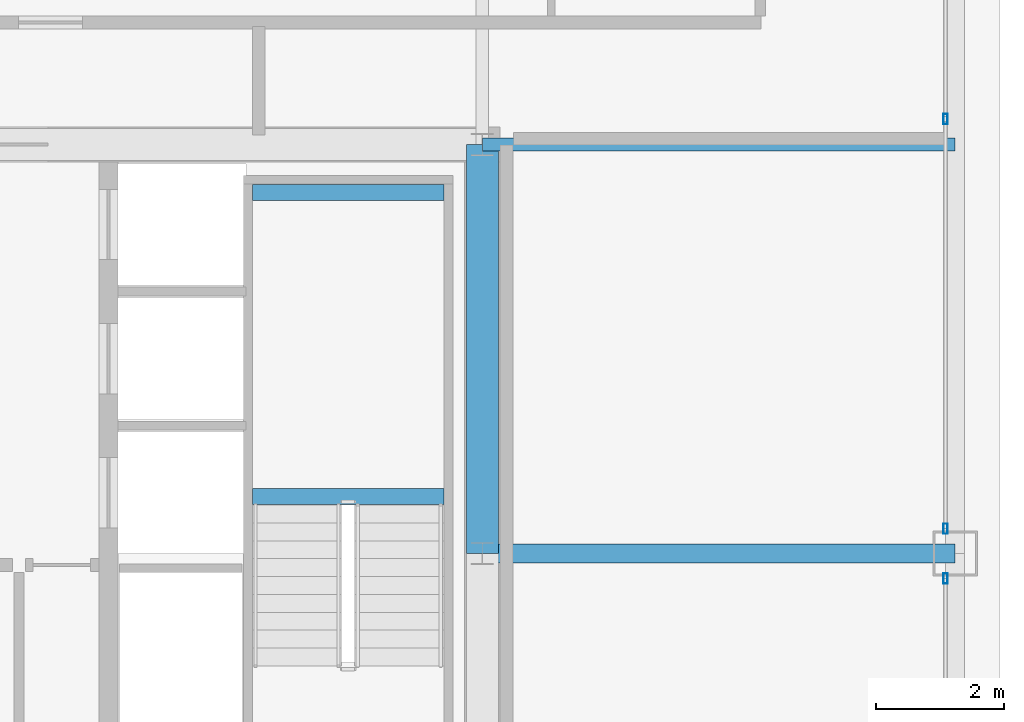
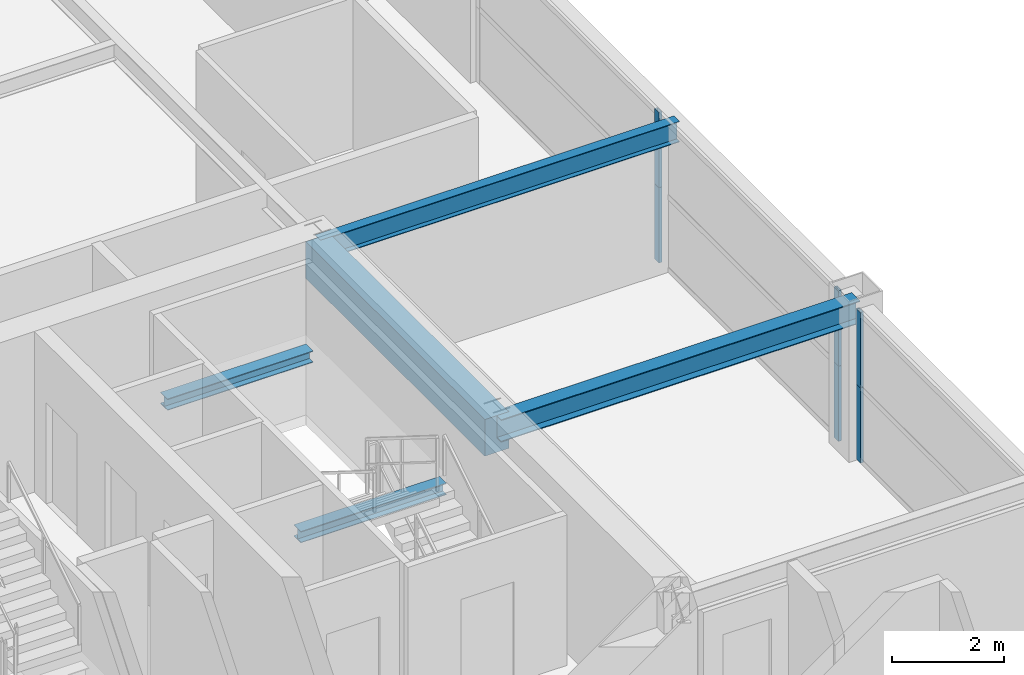
# One storey, part 21 of 37: 6 members, 5 beams, 2 elements without a shape of their own.
"""IFC4 building model written with IfcOpenShell, lengths in metres."""

import ifcopenshell
import ifcopenshell.guid

model = None  # the IFC model being written
_history = None  # IfcOwnerHistory: only IFC2X3 demands one
_inside = {}  # id of a spatial element -> (the spatial element, [elements in it])
_under = {}  # id of a project, library or spatial element -> (it, [spatial elements below it])
_declared = {}  # id of a project -> (the project, [libraries it declares])
_typed = {}  # id of a type object -> (the type object, [elements of that type])
_made_of = {}  # id of a material, layer set ... -> (it, [elements and type objects made of it])


def new_model(schema):
    """Start an empty IFC model of exactly this schema.

    Asked for "IFC4X3", IfcOpenShell would pick the latest addendum, in which some entities
    have other attributes; the version numbers below select the first issue.
    IFC2X3 requires an IfcOwnerHistory on every rooted entity: one is made here for all.
    """
    global model, _history
    if schema == "IFC4X3":
        model = ifcopenshell.file(schema_version=(4, 3, 0, 0))
    else:
        model = ifcopenshell.file(schema=schema)
    _inside.clear()
    _under.clear()
    _declared.clear()
    _typed.clear()
    _made_of.clear()
    _history = None
    if model.schema == "IFC2X3":
        org = make("IfcOrganization", Name="unknown")
        user = make(
            "IfcPersonAndOrganization",
            ThePerson=make("IfcPerson", FamilyName="unknown"),
            TheOrganization=org,
        )
        app = make(
            "IfcApplication",
            ApplicationDeveloper=org,
            Version="unknown",
            ApplicationFullName="unknown",
            ApplicationIdentifier="unknown",
        )
        _history = make(
            "IfcOwnerHistory",
            OwningUser=user,
            OwningApplication=app,
            ChangeAction="ADDED",
            CreationDate=0,
        )
    return model


def make(cls, **values):
    """One entity of the class cls with the attributes given. An attribute that is None is left unset."""
    return model.create_entity(
        cls, **{name: value for name, value in values.items() if value is not None}
    )


def rooted(cls, **values):
    """An entity with a GlobalId (a new one), such as an element, a storey or a relation."""
    return make(cls, GlobalId=ifcopenshell.guid.new(), OwnerHistory=_history, **values)


def si_unit(unit_type, name, prefix=None):
    """IfcSIUnit, for example si_unit("LENGTHUNIT", "METRE", prefix="MILLI")."""
    return make("IfcSIUnit", UnitType=unit_type, Prefix=prefix, Name=name)


def assignment(units):
    """IfcUnitAssignment: the units of a project."""
    return None if units is None else make("IfcUnitAssignment", Units=units)


def point(xyz):
    """IfcCartesianPoint."""
    return None if xyz is None else make("IfcCartesianPoint", Coordinates=xyz)


def direction(xyz):
    """IfcDirection."""
    return None if xyz is None else make("IfcDirection", DirectionRatios=xyz)


def frame(location, z_axis=None, x_axis=None):
    """IfcAxis2Placement3D, a coordinate frame: its origin and axes. An axis left out is left unset."""
    return make(
        "IfcAxis2Placement3D",
        Location=point(location),
        Axis=direction(z_axis),
        RefDirection=direction(x_axis),
    )


def frame_2d(location, x_axis=None):
    """IfcAxis2Placement2D, a coordinate frame in the plane: its origin and x axis."""
    return make(
        "IfcAxis2Placement2D", Location=point(location), RefDirection=direction(x_axis)
    )


def origin():
    """The frame at (0, 0, 0) with its axes left unset."""
    return frame((0.0, 0.0, 0.0))


def origin_2d():
    """The frame at (0, 0) in the plane with its x axis left unset."""
    return frame_2d((0.0, 0.0))


def place(relative_to, where):
    """IfcLocalPlacement: puts the frame where relative to a parent placement (None: the world)."""
    return make(
        "IfcLocalPlacement", PlacementRelTo=relative_to, RelativePlacement=where
    )


def context(
    kind, dimensions, precision=None, world=None, true_north=None, identifier=None
):
    """IfcGeometricRepresentationContext, for example the 3D "Model" context."""
    return make(
        "IfcGeometricRepresentationContext",
        ContextIdentifier=identifier,
        ContextType=kind,
        CoordinateSpaceDimension=dimensions,
        Precision=precision,
        WorldCoordinateSystem=world,
        TrueNorth=true_north,
    )


def subcontext(parent, identifier, kind, view, scale=None):
    """IfcGeometricRepresentationSubContext, for example "Body" below "Model"."""
    return make(
        "IfcGeometricRepresentationSubContext",
        ContextIdentifier=identifier,
        ContextType=kind,
        ParentContext=parent,
        TargetScale=scale,
        TargetView=view,
    )


def project(units=None, contexts=None):
    """IfcProject with its units and contexts."""
    return rooted(
        "IfcProject",
        Name="project",
        RepresentationContexts=contexts,
        UnitsInContext=assignment(units),
    )


def spatial(cls, under=None, at=None, **own):
    """A site, building, storey or space (cls), placed at a placement, below another one or the project."""
    s = rooted(cls, ObjectPlacement=at, **own)
    if under is not None:
        _under.setdefault(under.id(), (under, []))[1].append(s)
    return s


def profile(cls, at=None, kind="AREA", **sizes):
    """A parametric profile (cls). Its sizes go by their IFC names, for example OverallWidth=200.0."""
    return make(cls, ProfileType=kind, Position=at, **sizes)


def rectangle(**sizes):
    """IfcRectangleProfileDef."""
    return profile("IfcRectangleProfileDef", **sizes)


def hollow_rectangle(**sizes):
    """IfcRectangleHollowProfileDef."""
    return profile("IfcRectangleHollowProfileDef", **sizes)


def i_section(**sizes):
    """IfcIShapeProfileDef."""
    return profile("IfcIShapeProfileDef", **sizes)


def extrude(swept, where, along, depth):
    """IfcExtrudedAreaSolid: the profile swept, set in the frame where, extruded along a direction by depth."""
    return make(
        "IfcExtrudedAreaSolid",
        SweptArea=swept,
        Position=where,
        ExtrudedDirection=direction(along),
        Depth=depth,
    )


def shape(context_of_items, identifier, shape_type, items):
    """IfcShapeRepresentation: the items that make up one representation, for example the "Body"."""
    return make(
        "IfcShapeRepresentation",
        ContextOfItems=context_of_items,
        RepresentationIdentifier=identifier,
        RepresentationType=shape_type,
        Items=items,
    )


def source(mapping_origin, context_of_items, identifier, shape_type, items):
    """IfcRepresentationMap: a shape defined once, which mapped items show again and again."""
    return make(
        "IfcRepresentationMap",
        MappingOrigin=mapping_origin,
        MappedRepresentation=shape(context_of_items, identifier, shape_type, items),
    )


def transform(
    local_origin,
    x_axis=None,
    y_axis=None,
    z_axis=None,
    scale=None,
    scale2=None,
    scale3=None,
    uniform=True,
):
    """IfcCartesianTransformationOperator3D, or its non-uniform kind. x_axis, y_axis, z_axis: its Axis1, 2, 3."""
    if uniform:
        return make(
            "IfcCartesianTransformationOperator3D",
            Axis1=direction(x_axis),
            Axis2=direction(y_axis),
            LocalOrigin=point(local_origin),
            Scale=scale,
            Axis3=direction(z_axis),
        )
    return make(
        "IfcCartesianTransformationOperator3DnonUniform",
        Axis1=direction(x_axis),
        Axis2=direction(y_axis),
        LocalOrigin=point(local_origin),
        Scale=scale,
        Axis3=direction(z_axis),
        Scale2=scale2,
        Scale3=scale3,
    )


def mapped(mapping_source, mapping_target):
    """IfcMappedItem: shows the shape of a source again, moved by a transform."""
    return make(
        "IfcMappedItem", MappingSource=mapping_source, MappingTarget=mapping_target
    )


def material(Name=None, Category=None):
    """IfcMaterial."""
    return make("IfcMaterial", Name=Name, Category=Category)


def layer(
    of_material, thickness, ventilated=None, Name=None, Category=None, Priority=None
):
    """IfcMaterialLayer: one layer of a wall or slab, of a material (None: an air gap)."""
    return make(
        "IfcMaterialLayer",
        Material=of_material,
        LayerThickness=thickness,
        IsVentilated=ventilated,
        Name=Name,
        Category=Category,
        Priority=Priority,
    )


def layer_set(layers, Name=None):
    """IfcMaterialLayerSet."""
    return make("IfcMaterialLayerSet", MaterialLayers=layers, LayerSetName=Name)


def material_profile(
    of_material, cross_section, Name=None, Category=None, Priority=None
):
    """IfcMaterialProfile: a cross section and its material."""
    return make(
        "IfcMaterialProfile",
        Name=Name,
        Material=of_material,
        Profile=cross_section,
        Priority=Priority,
        Category=Category,
    )


def profile_set(profiles, Name=None, composite=None):
    """IfcMaterialProfileSet."""
    return make(
        "IfcMaterialProfileSet",
        Name=Name,
        MaterialProfiles=profiles,
        CompositeProfile=composite,
    )


def made_of(thing, what):
    """Note that an element or type object is made of a material, layer set ...; save() writes the relation."""
    if what is not None:
        _made_of.setdefault(what.id(), (what, []))[1].append(thing)
    return thing


def type_object(cls, material=None, **own):
    """A type object (cls), such as IfcWallType, which elements share."""
    return made_of(rooted(cls, **own), material)


def element(
    cls,
    number,
    at=None,
    inside=None,
    cuts=None,
    type_object=None,
    material=None,
    context=None,
    identifier="Body",
    shape_type=None,
    held_by="IfcProductDefinitionShape",
    body=None,
    shapes=None,
    **own,
):
    """One element of the class cls, such as IfcWall. Its Tag is "e" and its number.

    at: its placement. inside: the storey or other place that contains it. cuts: it is an
    opening in that element (IfcRelVoidsElement). A single representation is given by context,
    identifier, shape_type and body (its items); several are given by shapes. held_by: the class
    of the entity that holds the representations. save() writes the other relations.
    """
    e = rooted(cls, Tag="e%d" % number, ObjectPlacement=at, **own)
    if body is not None:
        shapes = [shape(context, identifier, shape_type, body)]
    if shapes is not None:
        e.Representation = make(held_by, Representations=shapes)
    if inside is not None:
        _inside.setdefault(inside.id(), (inside, []))[1].append(e)
    if cuts is not None:
        rooted(
            "IfcRelVoidsElement", RelatingBuildingElement=cuts, RelatedOpeningElement=e
        )
    if type_object is not None:
        _typed.setdefault(type_object.id(), (type_object, []))[1].append(e)
    return made_of(e, material)


def aggregate(whole, parts):
    """IfcRelAggregates: a whole, such as a stair, and the parts it consists of."""
    return rooted("IfcRelAggregates", RelatingObject=whole, RelatedObjects=parts)


def save(model, path):
    """Write the relations noted so far, then the file.

    IfcRelAggregates (storeys below a building ...), IfcRelContainedInSpatialStructure (elements
    in a storey), IfcRelDefinesByType, IfcRelAssociatesMaterial and IfcRelDeclares: one each for
    every whole, place, type object, material and project.
    """
    for whole, parts in _under.values():
        aggregate(whole, parts)
    for where, things in _inside.values():
        rooted(
            "IfcRelContainedInSpatialStructure",
            RelatedElements=things,
            RelatingStructure=where,
        )
    for kind, things in _typed.values():
        rooted("IfcRelDefinesByType", RelatedObjects=things, RelatingType=kind)
    for what, things in _made_of.values():
        rooted("IfcRelAssociatesMaterial", RelatedObjects=things, RelatingMaterial=what)
    for by, libraries in _declared.values():
        rooted("IfcRelDeclares", RelatingContext=by, RelatedDefinitions=libraries)
    model.write(path)


model = new_model("IFC4")

# Units and contexts
model_context = context("Model", 3, precision=1e-05, world=origin(), true_north=direction((0.0, 1.0)))
body_context = subcontext(model_context, "Body", "Model", "MODEL_VIEW")
ifc_project = project(units=[si_unit("LENGTHUNIT", "METRE"), si_unit("AREAUNIT", "SQUARE_METRE"), si_unit("VOLUMEUNIT", "CUBIC_METRE"), si_unit("PLANEANGLEUNIT", "RADIAN"), si_unit("MASSUNIT", "GRAM", prefix="KILO"), si_unit("THERMODYNAMICTEMPERATUREUNIT", "KELVIN"), si_unit("POWERUNIT", "WATT")], contexts=[model_context])

# Site, building, storey
site_placement = place(None, origin())
site = spatial("IfcSite", under=ifc_project, at=site_placement, CompositionType="ELEMENT")
building_placement = place(site_placement, origin())
building = spatial("IfcBuilding", under=site, at=building_placement, Name="Yuzanri Waterfront Tower", CompositionType="ELEMENT")
storey_placement = place(building_placement, frame((0.0, 0.0, 268.10009765625)))
storey = spatial("IfcBuildingStorey", under=building, at=storey_placement, Name="L71", CompositionType="ELEMENT", Elevation=268.10009765625)

# Beams
ifc_material_1 = material(Name="Concrete C50", Category="concrete")
ifc_material_profile_1 = material_profile(ifc_material_1, rectangle(XDim=0.5, YDim=0.800048828125, at=origin_2d()), Name="RC 500x800")
ifc_profile_set_1 = profile_set([ifc_material_profile_1], Name="Concrete C50")
beam_type_1 = type_object("IfcBeamType", Name="Core Coupling Lintel Concrete C50 500x800", PredefinedType="LINTEL", material=ifc_profile_set_1)
shared_shape_1 = source(origin(), body_context, "Body", "SweptSolid", [
    extrude(rectangle(XDim=0.5, YDim=0.800048828125, at=origin_2d()), origin(), (0.0, 0.0, 1.0), 6.39990234375),
])
beam_1_placement = place(storey_placement, frame((50.199951171875, 25.800048828125, 2.8798828125), z_axis=(0.0, 1.0, 0.0), x_axis=(-1.0, 0.0, 0.0)))
element("IfcBeam", 1, at=beam_1_placement, inside=storey, type_object=beam_type_1, Name="L71 Core Tie Beam CE2", PredefinedType="LINTEL", context=body_context, shape_type="MappedRepresentation", body=[
    mapped(shared_shape_1, transform((0.0, 0.0, 0.0), scale=1.0)),
])
ifc_material_2 = material(Name="Steel Q355B", Category="steel")
ifc_material_profile_2 = material_profile(ifc_material_2, i_section(OverallWidth=0.300048828125, OverallDepth=0.488037109375, WebThickness=0.010986328125, FlangeThickness=0.01806640625, at=origin_2d()), Name="HM 488x300x11x18")
ifc_profile_set_2 = profile_set([ifc_material_profile_2], Name="Steel Q355B")
beam_type_2 = type_object("IfcBeamType", Name="Primary Floor Girder Q355B HM 488x300", PredefinedType="BEAM", material=ifc_profile_set_2)
shared_shape_2 = source(origin(), body_context, "Body", "SweptSolid", [
    extrude(i_section(OverallWidth=0.300048828125, OverallDepth=0.488037109375, WebThickness=0.010986328125, FlangeThickness=0.01806640625, at=origin_2d()), origin(), (0.0, 0.0, 1.0), 7.400146484375),
])
beam_2_placement = place(storey_placement, frame((50.199951171875, 25.800048828125, 3.035888671875), z_axis=(1.0, 0.0, 0.0), x_axis=(0.0, 1.0, 0.0)))
element("IfcBeam", 2, at=beam_2_placement, inside=storey, type_object=beam_type_2, Name="L71 East Grid Girder", PredefinedType="BEAM", context=body_context, shape_type="MappedRepresentation", body=[
    mapped(shared_shape_2, transform((0.0, 0.0, 0.0), scale=1.0)),
])
ifc_material_3 = material(Name="Steel Q355B", Category="steel")
ifc_material_profile_3 = material_profile(ifc_material_3, i_section(OverallWidth=0.199951171875, OverallDepth=0.449951171875, WebThickness=0.009033203125, FlangeThickness=0.013916015625, at=origin_2d()), Name="HN 450x200x9x14")
ifc_profile_set_3 = profile_set([ifc_material_profile_3], Name="Steel Q355B")
beam_type_3 = type_object("IfcBeamType", Name="Secondary Floor Beam Q355B HN 450x200", PredefinedType="BEAM", material=ifc_profile_set_3)
shared_shape_3 = source(origin(), body_context, "Body", "SweptSolid", [
    extrude(i_section(OverallWidth=0.199951171875, OverallDepth=0.449951171875, WebThickness=0.009033203125, FlangeThickness=0.013916015625, at=origin_2d()), origin(), (0.0, 0.0, 1.0), 7.400146484375),
])
beam_3_placement = place(storey_placement, frame((50.199951171875, 32.199951171875, 3.054931640625), z_axis=(1.0, 0.0, 0.0), x_axis=(0.0, 1.0, 0.0)))
element("IfcBeam", 3, at=beam_3_placement, inside=storey, type_object=beam_type_3, Name="L71 East-North Core Line Beam", PredefinedType="BEAM", context=body_context, shape_type="MappedRepresentation", body=[
    mapped(shared_shape_3, transform((0.0, 0.0, 0.0), scale=1.0)),
])

# Curtain wall, members
ifc_material_4 = material(Name="Anodized Architectural Bronze", Category="metal")
ifc_layer = layer(ifc_material_4, 0.159912109375)
ifc_layer_set = layer_set([ifc_layer], Name="Anodized Architectural Bronze")
curtain_wall_type = type_object("IfcCurtainWallType", Name="Anodized Bronze Mid-Rise Residential Acoustic Unitized Curtain Wall 7200", PredefinedType="NOTDEFINED", material=ifc_layer_set)
curtain_wall_1_placement = place(storey_placement, origin())
curtain_wall_1 = element("IfcCurtainWall", 4, at=curtain_wall_1_placement, inside=storey, type_object=curtain_wall_type, Name="L71 Curtain Wall CW-L71-EL", PredefinedType="NOTDEFINED")
ifc_material_5 = material(Name="Anodized Architectural Bronze", Category="metal")
ifc_material_profile_4 = material_profile(ifc_material_5, hollow_rectangle(XDim=0.06494140625, YDim=0.159912109375, WallThickness=0.00341796875, at=origin_2d()), Name="CWM 65x160")
ifc_profile_set_4 = profile_set([ifc_material_profile_4], Name="Anodized Architectural Bronze")
member_type = type_object("IfcMemberType", Name="Anodized Bronze Upper-Zone Curtain-Wall Mullion 65x160", PredefinedType="MULLION", material=ifc_profile_set_4)
shared_shape_4 = source(origin(), body_context, "Body", "SweptSolid", [
    extrude(hollow_rectangle(XDim=0.06494140625, YDim=0.159912109375, WallThickness=0.00341796875, at=origin_2d()), origin(), (0.0, 0.0, 1.0), 1.637939453125),
])
member_1_placement = place(storey_placement, frame((57.449951171875, 25.409912109375, 0.0), z_axis=(0.0, 0.0, 1.0), x_axis=(1.0, 0.0, 0.0)))
member_1 = element("IfcMember", 5, at=member_1_placement, type_object=member_type, Name="CW-L71-EL Lower Mullion 02", PredefinedType="MULLION", context=body_context, shape_type="MappedRepresentation", body=[
    mapped(shared_shape_4, transform((0.0, 0.0, 0.0), scale=1.0)),
])
member_2_placement = place(storey_placement, frame((57.449951171875, 25.409912109375, 1.641845703125), z_axis=(0.0, 0.0, 1.0), x_axis=(1.0, 0.0, 0.0)))
member_2 = element("IfcMember", 6, at=member_2_placement, type_object=member_type, Name="CW-L71-EL Upper Mullion 02", PredefinedType="MULLION", context=body_context, shape_type="MappedRepresentation", body=[
    mapped(shared_shape_4, transform((0.0, 0.0, 0.0), scale=1.0)),
])
aggregate(curtain_wall_1, [member_1, member_2])

curtain_wall_2_placement = place(storey_placement, origin())
curtain_wall_2 = element("IfcCurtainWall", 7, at=curtain_wall_2_placement, inside=storey, type_object=curtain_wall_type, Name="L71 Curtain Wall CW-L71-ER", PredefinedType="NOTDEFINED")
member_3_placement = place(storey_placement, frame((57.449951171875, 26.18994140625, 0.0), z_axis=(0.0, 0.0, 1.0), x_axis=(1.0, 0.0, 0.0)))
member_3 = element("IfcMember", 8, at=member_3_placement, type_object=member_type, Name="CW-L71-ER Lower Mullion 00", PredefinedType="MULLION", context=body_context, shape_type="MappedRepresentation", body=[
    mapped(shared_shape_4, transform((0.0, 0.0, 0.0), scale=1.0)),
])
member_4_placement = place(storey_placement, frame((57.449951171875, 26.18994140625, 1.641845703125), z_axis=(0.0, 0.0, 1.0), x_axis=(1.0, 0.0, 0.0)))
member_4 = element("IfcMember", 9, at=member_4_placement, type_object=member_type, Name="CW-L71-ER Upper Mullion 00", PredefinedType="MULLION", context=body_context, shape_type="MappedRepresentation", body=[
    mapped(shared_shape_4, transform((0.0, 0.0, 0.0), scale=1.0)),
])
member_5_placement = place(storey_placement, frame((57.449951171875, 32.60009765625, 0.0), z_axis=(0.0, 0.0, 1.0), x_axis=(1.0, 0.0, 0.0)))
member_5 = element("IfcMember", 10, at=member_5_placement, type_object=member_type, Name="CW-L71-ER Lower Mullion 01", PredefinedType="MULLION", context=body_context, shape_type="MappedRepresentation", body=[
    mapped(shared_shape_4, transform((0.0, 0.0, 0.0), scale=1.0)),
])
member_6_placement = place(storey_placement, frame((57.449951171875, 32.60009765625, 1.641845703125), z_axis=(0.0, 0.0, 1.0), x_axis=(1.0, 0.0, 0.0)))
member_6 = element("IfcMember", 11, at=member_6_placement, type_object=member_type, Name="CW-L71-ER Upper Mullion 01", PredefinedType="MULLION", context=body_context, shape_type="MappedRepresentation", body=[
    mapped(shared_shape_4, transform((0.0, 0.0, 0.0), scale=1.0)),
])
aggregate(curtain_wall_2, [member_3, member_4, member_5, member_6])

# Beams
ifc_material_6 = material(Name="Steel Q355B", Category="steel")
ifc_material_profile_5 = material_profile(ifc_material_6, i_section(OverallWidth=0.25, OverallDepth=0.25, WebThickness=0.009033203125, FlangeThickness=0.013916015625, at=origin_2d()), Name="HW 250x250x9x14")
ifc_profile_set_5 = profile_set([ifc_material_profile_5], Name="Steel Q355B")
beam_type_4 = type_object("IfcBeamType", Name="Stair Landing Support Beam Q355B HW 250x250", PredefinedType="BEAM", material=ifc_profile_set_5)
shared_shape_5 = source(origin(), body_context, "Body", "SweptSolid", [
    extrude(i_section(OverallWidth=0.25, OverallDepth=0.25, WebThickness=0.009033203125, FlangeThickness=0.013916015625, at=origin_2d()), origin(), (0.0, 0.0, 1.0), 3.0),
])
for number, where, z_axis, x_axis, name in (
    (12, (46.60009765625, 26.68994140625, 1.4248046875), (1.0, 0.0, 0.0), (0.0, 1.0, 0.0), "L71 Stair Landing Support Beam ST-02-L71-L1-1"),
    (13, (46.60009765625, 31.449951171875, 1.4248046875), (1.0, 0.0, 0.0), (0.0, 1.0, 0.0), "L71 Stair Landing Support Beam ST-02-L71-L1-2"),
):
    element("IfcBeam", number, at=place(storey_placement, frame(where, z_axis=z_axis, x_axis=x_axis)), inside=storey, type_object=beam_type_4, Name=name, PredefinedType="BEAM", context=body_context, shape_type="MappedRepresentation", body=[
        mapped(shared_shape_5, transform((0.0, 0.0, 0.0), scale=1.0)),
    ])

save(model, "model.ifc")
